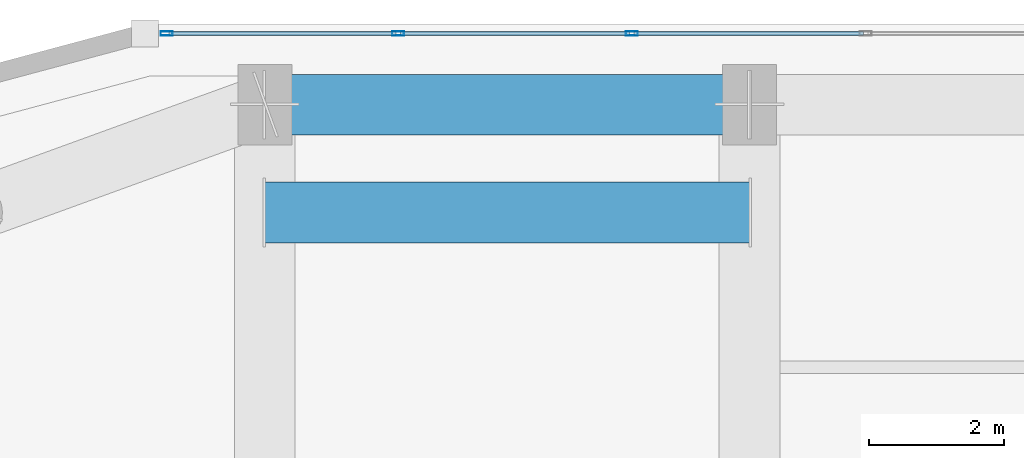
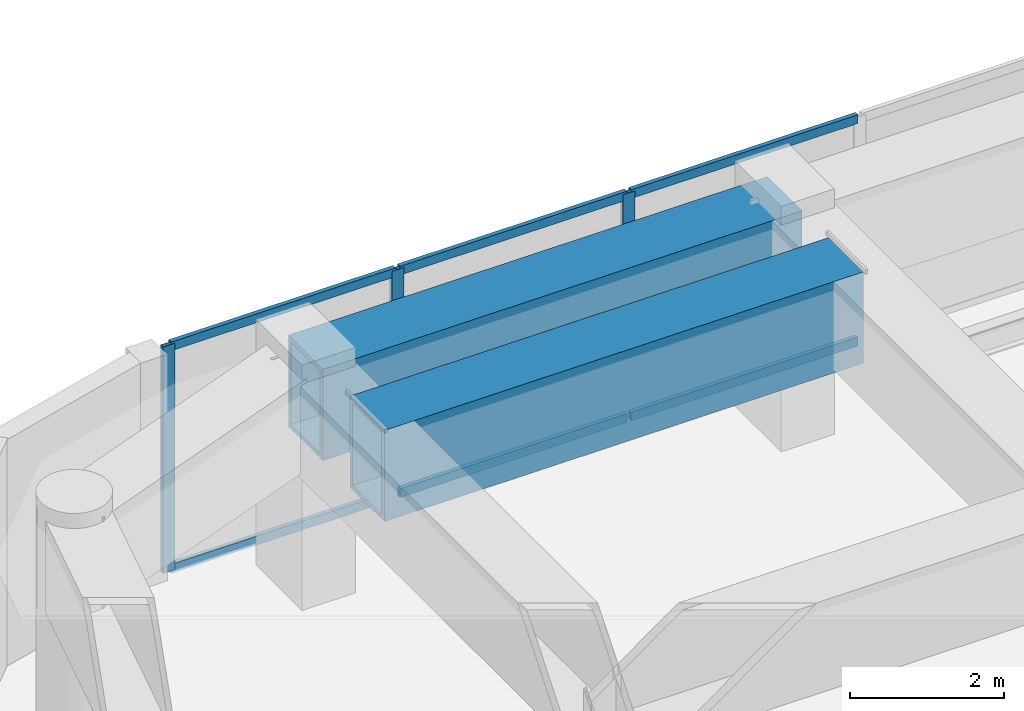
# One storey, part 17 of 30: 9 members, 2 beams, 1 element without a shape of its own.
"""IFC4 building model written with IfcOpenShell, lengths in metres."""

from ifc_helpers import new_model, si_unit, direction, frame, origin, origin_2d, place, context, subcontext, project, spatial, hollow_rectangle, extrude, material, layer, layer_set, material_profile, profile_set, type_object, element, aggregate, save


model = new_model("IFC4")

# Units and contexts
model_context = context("Model", 3, precision=1e-05, world=origin(), true_north=direction((0.0, 1.0)))
body_context = subcontext(model_context, "Body", "Model", "MODEL_VIEW")
ifc_project = project(units=[si_unit("LENGTHUNIT", "METRE"), si_unit("AREAUNIT", "SQUARE_METRE"), si_unit("VOLUMEUNIT", "CUBIC_METRE"), si_unit("PLANEANGLEUNIT", "RADIAN"), si_unit("MASSUNIT", "GRAM", prefix="KILO")], contexts=[model_context])

# Site, building, storey
site_placement = place(None, origin())
site = spatial("IfcSite", under=ifc_project, at=site_placement, CompositionType="ELEMENT")
building_placement = place(site_placement, origin())
building = spatial("IfcBuilding", under=site, at=building_placement, Name="Kiyonajd Concourse Tower", CompositionType="ELEMENT")
storey_placement = place(building_placement, frame((0.0, 0.0, 205.800048828125)))
storey = spatial("IfcBuildingStorey", under=building, at=storey_placement, Name="L52", CompositionType="ELEMENT", Elevation=205.800048828125)

# Beams
ifc_material_1 = material(Name="Steel ASTM A572 Grade 50", Category="steel")
ifc_material_profile_1 = material_profile(ifc_material_1, hollow_rectangle(XDim=0.89990234375, YDim=1.449951171875, WallThickness=0.074951171875, at=origin_2d()), Name="BOX-1450x900x75")
ifc_profile_set_1 = profile_set([ifc_material_profile_1], Name="Steel ASTM A572 Grade 50")
beam_type = type_object("IfcBeamType", Name="BM-XFER-1800", PredefinedType="BEAM", material=ifc_profile_set_1)
for number, where, z_axis, x_axis, name in (
    (1, (32.39990234375, 61.199951171875, 2.875), (-1.0, 0.0, 0.0), (0.0, -1.0, 0.0), "L52 Perimeter Bundled Tube Spandrel"),
    (2, (25.199951171875, 59.60009765625, 2.875), (1.0, 0.0, 0.0), (0.0, 1.0, 0.0), "L52 Column Transfer Girder"),
):
    element("IfcBeam", number, at=place(storey_placement, frame(where, z_axis=z_axis, x_axis=x_axis)), inside=storey, type_object=beam_type, Name=name, PredefinedType="BEAM", context=body_context, shape_type="SweptSolid", body=[
        extrude(hollow_rectangle(XDim=0.89990234375, YDim=1.449951171875, WallThickness=0.074951171875, at=origin_2d()), origin(), (0.0, 0.0, 1.0), 7.199951171875),
    ])

# Curtain wall, members
ifc_material_2 = material(Name="Thermally Broken Anodised Aluminium", Category="aluminium")
ifc_layer = layer(ifc_material_2, 0.179931640625)
ifc_layer_set = layer_set([ifc_layer], Name="Thermally Broken Anodised Aluminium")
curtain_wall_type = type_object("IfcCurtainWallType", Name="CW-SYS-03", PredefinedType="NOTDEFINED", material=ifc_layer_set)
curtain_wall_placement = place(storey_placement, origin())
curtain_wall = element("IfcCurtainWall", 3, at=curtain_wall_placement, inside=storey, type_object=curtain_wall_type, Name="L52 Unitised Curtain Wall CW3", PredefinedType="NOTDEFINED")
ifc_material_profile_2 = material_profile(ifc_material_2, hollow_rectangle(XDim=0.06494140625, YDim=0.179931640625, WallThickness=0.00390625, at=origin_2d()), Name="MULL-65x180")
ifc_profile_set_2 = profile_set([ifc_material_profile_2], Name="Thermally Broken Anodised Aluminium")
member_type_1 = type_object("IfcMemberType", Name="MB-CW-MULL1", PredefinedType="MULLION", material=ifc_profile_set_2)
member_1_placement = place(storey_placement, frame((23.740966796875, 62.260009765625, 0.0), z_axis=(0.0, 0.0, 1.0), x_axis=(0.0, 1.0, 0.0)))
member_1 = element("IfcMember", 4, at=member_1_placement, type_object=member_type_1, Name="CW3 mullion 1", PredefinedType="MULLION", context=body_context, shape_type="SweptSolid", body=[
    extrude(hollow_rectangle(XDim=0.06494140625, YDim=0.179931640625, WallThickness=0.00390625, at=origin_2d()), origin(), (0.0, 0.0, 1.0), 3.599853515625),
])
member_2_placement = place(storey_placement, frame((27.180908203125, 62.260009765625, 0.0), z_axis=(0.0, 0.0, 1.0), x_axis=(0.0, 1.0, 0.0)))
member_2 = element("IfcMember", 5, at=member_2_placement, type_object=member_type_1, Name="CW3 mullion 2", PredefinedType="MULLION", context=body_context, shape_type="SweptSolid", body=[
    extrude(hollow_rectangle(XDim=0.06494140625, YDim=0.179931640625, WallThickness=0.00390625, at=origin_2d()), origin(), (0.0, 0.0, 1.0), 3.599853515625),
])
member_3_placement = place(storey_placement, frame((30.6533203125, 62.260009765625, 0.0), z_axis=(0.0, 0.0, 1.0), x_axis=(0.0, 1.0, 0.0)))
member_3 = element("IfcMember", 6, at=member_3_placement, type_object=member_type_1, Name="CW3 mullion 3", PredefinedType="MULLION", context=body_context, shape_type="SweptSolid", body=[
    extrude(hollow_rectangle(XDim=0.06494140625, YDim=0.179931640625, WallThickness=0.00390625, at=origin_2d()), origin(), (0.0, 0.0, 1.0), 3.599853515625),
])
ifc_material_profile_3 = material_profile(ifc_material_2, hollow_rectangle(XDim=0.06494140625, YDim=0.139892578125, WallThickness=0.00390625, at=origin_2d()), Name="TRAN-65x140")
ifc_profile_set_3 = profile_set([ifc_material_profile_3], Name="Thermally Broken Anodised Aluminium")
member_type_2 = type_object("IfcMemberType", Name="MB-CW-TRAN1", PredefinedType="USERDEFINED", material=ifc_profile_set_3)
member_4_placement = place(storey_placement, frame((23.7734375, 62.260009765625, 0.032470703125), z_axis=(1.0, 0.0, 0.0), x_axis=(0.0, 1.0, 0.0)))
member_4 = element("IfcMember", 7, at=member_4_placement, type_object=member_type_2, Name="CW3 transom 1.1", ObjectType="TRANSOM", PredefinedType="USERDEFINED", context=body_context, shape_type="SweptSolid", body=[
    extrude(hollow_rectangle(XDim=0.06494140625, YDim=0.139892578125, WallThickness=0.00390625, at=origin_2d()), origin(), (0.0, 0.0, 1.0), 3.374755859375),
])
member_5_placement = place(storey_placement, frame((23.7734375, 62.260009765625, 3.5673828125), z_axis=(1.0, 0.0, 0.0), x_axis=(0.0, 1.0, 0.0)))
member_5 = element("IfcMember", 8, at=member_5_placement, type_object=member_type_2, Name="CW3 transom 1.2", ObjectType="TRANSOM", PredefinedType="USERDEFINED", context=body_context, shape_type="SweptSolid", body=[
    extrude(hollow_rectangle(XDim=0.06494140625, YDim=0.139892578125, WallThickness=0.00390625, at=origin_2d()), origin(), (0.0, 0.0, 1.0), 3.374755859375),
])
member_6_placement = place(storey_placement, frame((27.21337890625, 62.260009765625, 0.032470703125), z_axis=(1.0, 0.0, 0.0), x_axis=(0.0, 1.0, 0.0)))
member_6 = element("IfcMember", 9, at=member_6_placement, type_object=member_type_2, Name="CW3 transom 2.1", ObjectType="TRANSOM", PredefinedType="USERDEFINED", context=body_context, shape_type="SweptSolid", body=[
    extrude(hollow_rectangle(XDim=0.06494140625, YDim=0.139892578125, WallThickness=0.00390625, at=origin_2d()), origin(), (0.0, 0.0, 1.0), 3.4072265625),
])
member_7_placement = place(storey_placement, frame((27.21337890625, 62.260009765625, 3.5673828125), z_axis=(1.0, 0.0, 0.0), x_axis=(0.0, 1.0, 0.0)))
member_7 = element("IfcMember", 10, at=member_7_placement, type_object=member_type_2, Name="CW3 transom 2.2", ObjectType="TRANSOM", PredefinedType="USERDEFINED", context=body_context, shape_type="SweptSolid", body=[
    extrude(hollow_rectangle(XDim=0.06494140625, YDim=0.139892578125, WallThickness=0.00390625, at=origin_2d()), origin(), (0.0, 0.0, 1.0), 3.4072265625),
])
member_8_placement = place(storey_placement, frame((30.685791015625, 62.260009765625, 0.032470703125), z_axis=(1.0, 0.0, 0.0), x_axis=(0.0, 1.0, 0.0)))
member_8 = element("IfcMember", 11, at=member_8_placement, type_object=member_type_2, Name="CW3 transom 3.1", ObjectType="TRANSOM", PredefinedType="USERDEFINED", context=body_context, shape_type="SweptSolid", body=[
    extrude(hollow_rectangle(XDim=0.06494140625, YDim=0.139892578125, WallThickness=0.00390625, at=origin_2d()), origin(), (0.0, 0.0, 1.0), 3.4072265625),
])
member_9_placement = place(storey_placement, frame((30.685791015625, 62.260009765625, 3.5673828125), z_axis=(1.0, 0.0, 0.0), x_axis=(0.0, 1.0, 0.0)))
member_9 = element("IfcMember", 12, at=member_9_placement, type_object=member_type_2, Name="CW3 transom 3.2", ObjectType="TRANSOM", PredefinedType="USERDEFINED", context=body_context, shape_type="SweptSolid", body=[
    extrude(hollow_rectangle(XDim=0.06494140625, YDim=0.139892578125, WallThickness=0.00390625, at=origin_2d()), origin(), (0.0, 0.0, 1.0), 3.4072265625),
])
aggregate(curtain_wall, [member_1, member_2, member_3, member_4, member_5, member_6, member_7, member_8, member_9])

save(model, "model.ifc")
